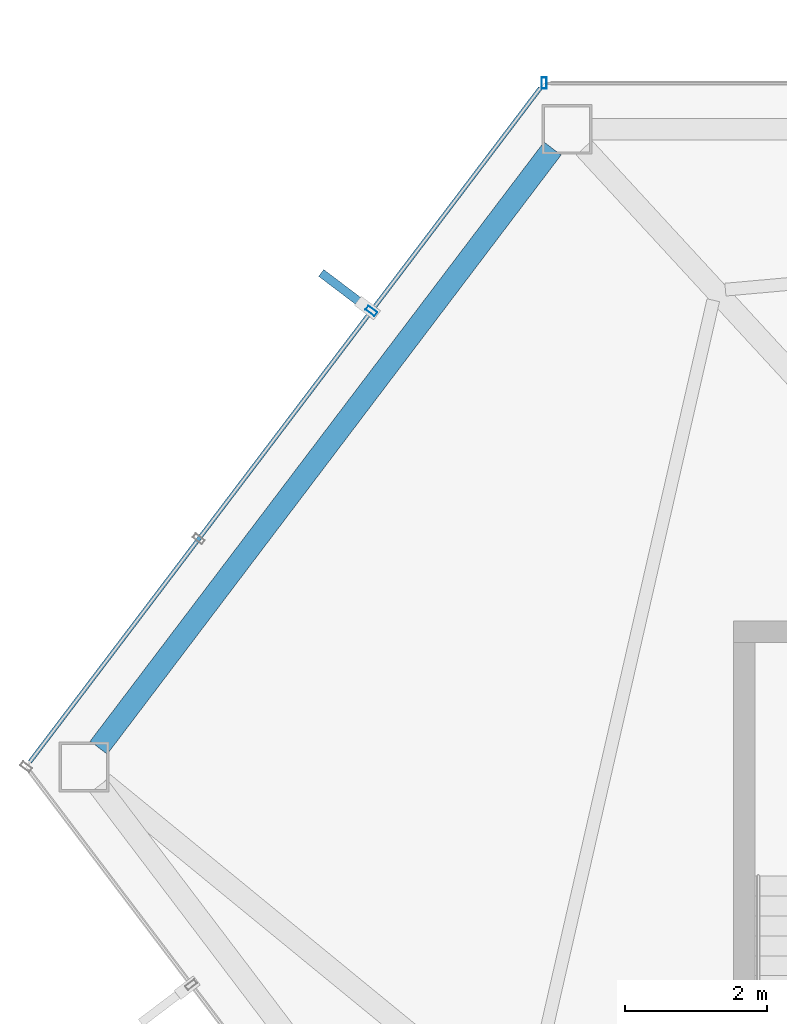
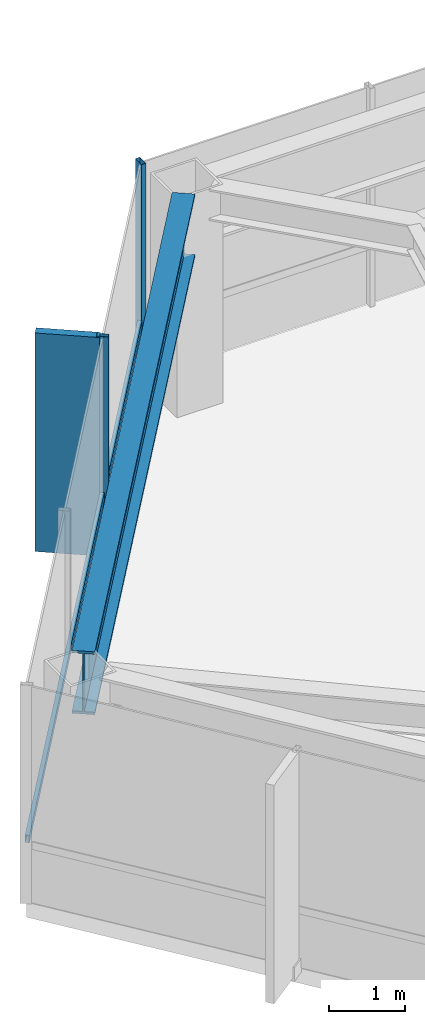
# One storey, part 10 of 28: 4 members, 1 beam, 2 elements without a shape of their own.
"""IFC4 building model written with IfcOpenShell, lengths in metres."""

from ifc_helpers import new_model, si_unit, direction, frame, origin, origin_2d, place, context, subcontext, project, spatial, rectangle, hollow_rectangle, i_section, extrude, material, layer, layer_set, material_profile, profile_set, type_object, element, aggregate, save


model = new_model("IFC4")

# Units and contexts
model_context = context("Model", 3, precision=1e-05, world=origin(), true_north=direction((0.0, 1.0)))
body_context = subcontext(model_context, "Body", "Model", "MODEL_VIEW")
ifc_project = project(units=[si_unit("LENGTHUNIT", "METRE"), si_unit("AREAUNIT", "SQUARE_METRE"), si_unit("VOLUMEUNIT", "CUBIC_METRE"), si_unit("PLANEANGLEUNIT", "RADIAN"), si_unit("MASSUNIT", "GRAM", prefix="KILO")], contexts=[model_context])

# Site, building, storey
site_placement = place(None, origin())
site = spatial("IfcSite", under=ifc_project, at=site_placement, CompositionType="ELEMENT")
building_placement = place(site_placement, origin())
building = spatial("IfcBuilding", under=site, at=building_placement, Name="Zarrinselat Tower", CompositionType="ELEMENT")
storey_placement = place(building_placement, frame((0.0, 0.0, 187.0)))
storey = spatial("IfcBuildingStorey", under=building, at=storey_placement, Name="L46", CompositionType="ELEMENT", Elevation=187.0)

# Beam
ifc_material_1 = material(Name="Steel S460M", Category="steel")
ifc_material_profile_1 = material_profile(ifc_material_1, i_section(OverallWidth=0.302001953125, OverallDepth=1.008056640625, WebThickness=0.02099609375, FlangeThickness=0.0400390625, at=origin_2d()), Name="HEM 1000")
ifc_profile_set_1 = profile_set([ifc_material_profile_1], Name="Steel S460M")
beam_type = type_object("IfcBeamType", Name="BM-HEM1000", PredefinedType="BEAM", material=ifc_profile_set_1)
beam_placement = place(storey_placement, frame((16.16650390625, 39.272216796875, 2.99609375), z_axis=(0.603841657077, 0.797104292535, 0.0), x_axis=(-0.797104292535, 0.603841657077, 0.0)))
element("IfcBeam", 1, at=beam_placement, inside=storey, type_object=beam_type, Name="L46 Perimeter Spandrel Girder SP05", PredefinedType="BEAM", context=body_context, shape_type="SweptSolid", body=[
    extrude(i_section(OverallWidth=0.302001953125, OverallDepth=1.008056640625, WebThickness=0.02099609375, FlangeThickness=0.0400390625, at=origin_2d()), origin(), (0.0, 0.0, 1.0), 10.555908203125),
])

# Curtain wall, member
ifc_material_2 = material(Name="Extruded Aluminium Alloy EN AW-6063 T6", Category="aluminium")
ifc_layer = layer(ifc_material_2, 0.175048828125)
ifc_layer_set = layer_set([ifc_layer], Name="Extruded Aluminium Alloy EN AW-6063 T6")
curtain_wall_type = type_object("IfcCurtainWallType", Name="CWS-HTL", PredefinedType="NOTDEFINED", material=ifc_layer_set)
curtain_wall_1_placement = place(storey_placement, origin())
curtain_wall_1 = element("IfcCurtainWall", 2, at=curtain_wall_1_placement, inside=storey, type_object=curtain_wall_type, Name="L46 Unitised Curtain Wall CW-L46-E01", PredefinedType="NOTDEFINED")
ifc_material_3 = material(Name="Extruded Aluminium Alloy EN AW-6063 T6", Category="aluminium")
ifc_material_profile_2 = material_profile(ifc_material_3, hollow_rectangle(XDim=0.070068359375, YDim=0.159912109375, WallThickness=0.00390625, at=origin_2d()), Name="RHS 160x70x4")
ifc_profile_set_2 = profile_set([ifc_material_profile_2], Name="Extruded Aluminium Alloy EN AW-6063 T6")
member_type_1 = type_object("IfcMemberType", Name="MEM-CW-MUL2", PredefinedType="MULLION", material=ifc_profile_set_2)
member_1_placement = place(storey_placement, frame((22.421630859375, 48.605712890625, 0.0), z_axis=(0.0, 0.0, 1.0), x_axis=(-1.0, 0.0, 0.0)))
member_1 = element("IfcMember", 3, at=member_1_placement, type_object=member_type_1, Name="CW-L46-E01 Mullion 11", PredefinedType="MULLION", context=body_context, shape_type="SweptSolid", body=[
    extrude(hollow_rectangle(XDim=0.070068359375, YDim=0.159912109375, WallThickness=0.00390625, at=origin_2d()), origin(), (0.0, 0.0, 1.0), 3.5),
])
aggregate(curtain_wall_1, [member_1])

# Curtain wall, members
curtain_wall_2_placement = place(storey_placement, origin())
curtain_wall_2 = element("IfcCurtainWall", 4, at=curtain_wall_2_placement, inside=storey, type_object=curtain_wall_type, Name="L46 Unitised Curtain Wall CW-L46-E02", PredefinedType="NOTDEFINED")
member_2_placement = place(storey_placement, frame((19.996826171875, 45.40478515625, 0.0), z_axis=(0.0, 0.0, 1.0), x_axis=(-0.603853852413, -0.797095053884, 0.0)))
member_2 = element("IfcMember", 5, at=member_2_placement, type_object=member_type_1, Name="CW-L46-E02 Mullion 1", PredefinedType="MULLION", context=body_context, shape_type="SweptSolid", body=[
    extrude(hollow_rectangle(XDim=0.070068359375, YDim=0.159912109375, WallThickness=0.00390625, at=origin_2d()), origin(), (0.0, 0.0, 1.0), 3.5),
])
ifc_material_4 = material(Name="Extruded Aluminium Alloy EN AW-6063 T6", Category="aluminium")
ifc_material_profile_3 = material_profile(ifc_material_4, hollow_rectangle(XDim=0.06005859375, YDim=0.1201171875, WallThickness=0.00390625, at=origin_2d()), Name="RHS 120x60x4")
ifc_profile_set_3 = profile_set([ifc_material_profile_3], Name="Extruded Aluminium Alloy EN AW-6063 T6")
member_type_2 = type_object("IfcMemberType", Name="MEM-CW-TRN2", PredefinedType="USERDEFINED", material=ifc_profile_set_3)
member_3_placement = place(storey_placement, frame((22.367431640625, 48.533935546875, 0.949951171875), z_axis=(-0.60385412315, -0.797094848782, 0.0), x_axis=(0.797094848782, -0.60385412315, 0.0)))
member_3 = element("IfcMember", 6, at=member_3_placement, type_object=member_type_2, Name="CW-L46-E02 Transom 1", ObjectType="TRANSOM", PredefinedType="USERDEFINED", context=body_context, shape_type="SweptSolid", body=[
    extrude(hollow_rectangle(XDim=0.06005859375, YDim=0.1201171875, WallThickness=0.00390625, at=origin_2d()), origin(), (0.0, 0.0, 1.0), 11.8671875),
])
ifc_material_5 = material(Name="Honed Cream Travertine Stone", Category="masonry")
ifc_material_profile_4 = material_profile(ifc_material_5, rectangle(XDim=0.1201171875, YDim=0.85009765625, at=origin_2d()), Name="FIN 850x120")
ifc_profile_set_4 = profile_set([ifc_material_profile_4], Name="Honed Cream Travertine Stone")
member_type_3 = type_object("IfcMemberType", Name="MEM-STONE-FIN", PredefinedType="USERDEFINED", material=ifc_profile_set_4)
member_4_placement = place(storey_placement, frame((19.630126953125, 45.6826171875, 0.0), z_axis=(0.0, 0.0, 1.0), x_axis=(0.603853852413, 0.797095053884, 0.0)))
member_4 = element("IfcMember", 7, at=member_4_placement, type_object=member_type_3, Name="L46 Stone Shading Fin CW-L46-E02-01", ObjectType="FIN", PredefinedType="USERDEFINED", context=body_context, shape_type="SweptSolid", body=[
    extrude(rectangle(XDim=0.1201171875, YDim=0.85009765625, at=origin_2d()), origin(), (0.0, 0.0, 1.0), 3.5),
])
aggregate(curtain_wall_2, [member_2, member_4, member_3])

save(model, "model.ifc")
